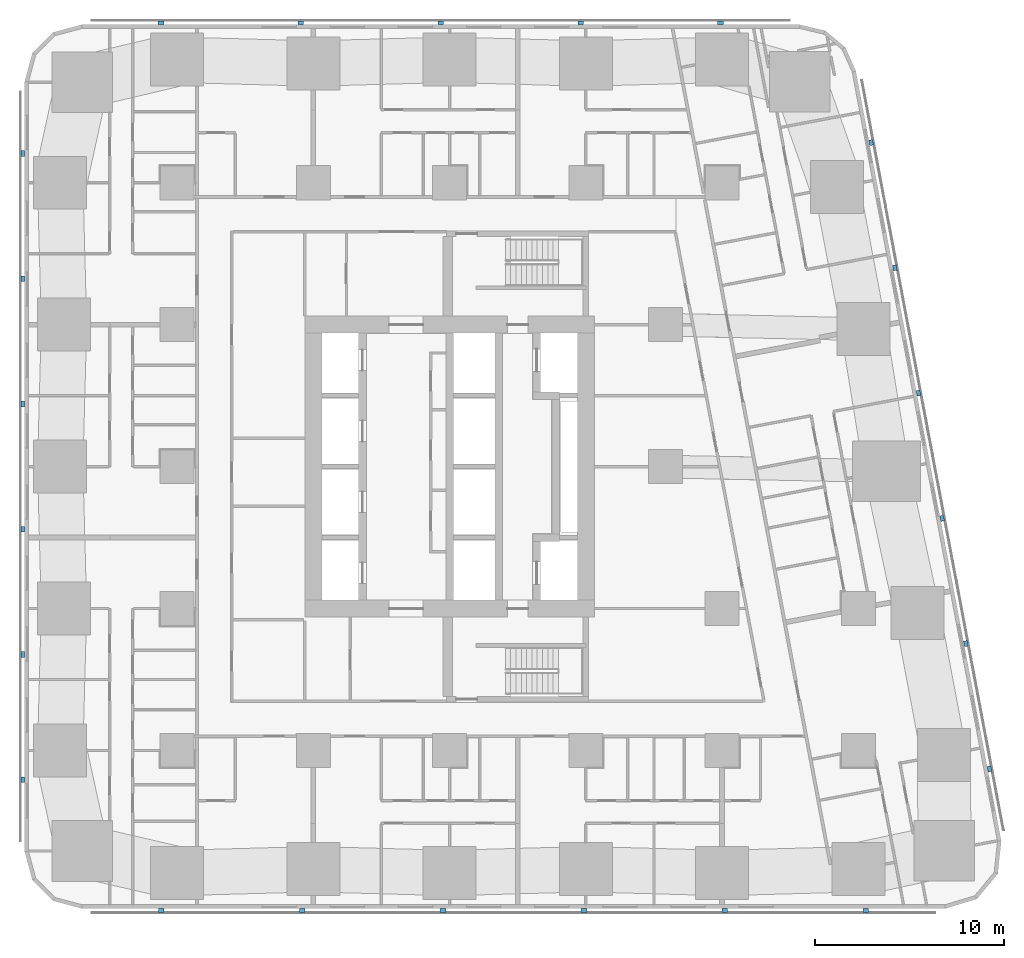
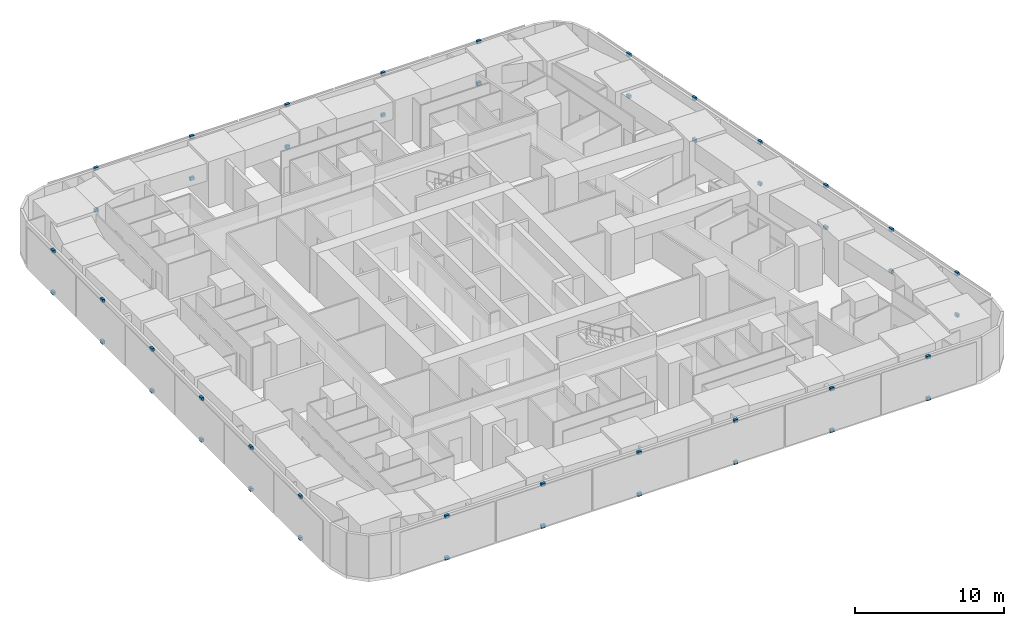
# One storey, part 14 of 18: 46 discrete accessories.
"""IFC4 building model written with IfcOpenShell, lengths in metres."""

from ifc_helpers import new_model, si_unit, direction, frame, origin, origin_2d, place, context, subcontext, project, spatial, rectangle, extrude, material, type_object, element, save


model = new_model("IFC4")

# Units and contexts
model_context = context("Model", 3, precision=1e-05, world=origin(), true_north=direction((0.0, 1.0)))
body_context = subcontext(model_context, "Body", "Model", "MODEL_VIEW")
ifc_project = project(units=[si_unit("LENGTHUNIT", "METRE"), si_unit("AREAUNIT", "SQUARE_METRE"), si_unit("VOLUMEUNIT", "CUBIC_METRE"), si_unit("PLANEANGLEUNIT", "RADIAN"), si_unit("MASSUNIT", "GRAM", prefix="KILO")], contexts=[model_context])

# Site, building, storey
site_placement = place(None, origin())
site = spatial("IfcSite", under=ifc_project, at=site_placement, CompositionType="ELEMENT")
building_placement = place(site_placement, origin())
building = spatial("IfcBuilding", under=site, at=building_placement, Name="Sheger Commons Tower", CompositionType="ELEMENT")
storey_placement = place(building_placement, frame((0.0, 0.0, 35.0)))
storey = spatial("IfcBuildingStorey", under=building, at=storey_placement, Name="L08", CompositionType="ELEMENT", Elevation=35.0)

# Discrete accessories
ifc_material = material(Name="Black painted steel bracket", Category="steel")
discrete_accessory_type = type_object("IfcDiscreteAccessoryType", Name="SCREEN BRACKET 300x200x250", PredefinedType="BRACKET", material=ifc_material)
for number, where, z_axis, x_axis, name in (
    (1, (6.37109375, -0.949951171875, -0.10009765625), (0.0, 0.0, 1.0), (1.0, 0.0, 0.0), "Solar screen foot bracket"),
    (2, (6.37109375, -0.949951171875, 3.300048828125), (0.0, 0.0, 1.0), (1.0, 0.0, 0.0), "Solar screen head bracket"),
    (3, (13.81396484375, -0.949951171875, -0.10009765625), (0.0, 0.0, 1.0), (1.0, 0.0, 0.0), "Solar screen foot bracket"),
    (4, (13.81396484375, -0.949951171875, 3.300048828125), (0.0, 0.0, 1.0), (1.0, 0.0, 0.0), "Solar screen head bracket"),
    (5, (21.257080078125, -0.949951171875, -0.10009765625), (0.0, 0.0, 1.0), (1.0, 0.0, 0.0), "Solar screen foot bracket"),
    (6, (21.257080078125, -0.949951171875, 3.300048828125), (0.0, 0.0, 1.0), (1.0, 0.0, 0.0), "Solar screen head bracket"),
    (7, (28.698974609375, -0.949951171875, -0.10009765625), (0.0, 0.0, 1.0), (1.0, 0.0, 0.0), "Solar screen foot bracket"),
    (8, (28.698974609375, -0.949951171875, 3.300048828125), (0.0, 0.0, 1.0), (1.0, 0.0, 0.0), "Solar screen head bracket"),
    (9, (36.14208984375, -0.949951171875, -0.10009765625), (0.0, 0.0, 1.0), (1.0, 0.0, 0.0), "Solar screen foot bracket"),
    (10, (36.14208984375, -0.949951171875, 3.300048828125), (0.0, 0.0, 1.0), (1.0, 0.0, 0.0), "Solar screen head bracket"),
    (11, (43.5849609375, -0.949951171875, -0.10009765625), (0.0, 0.0, 1.0), (1.0, 0.0, 0.0), "Solar screen foot bracket"),
    (12, (43.5849609375, -0.949951171875, 3.300048828125), (0.0, 0.0, 1.0), (1.0, 0.0, 0.0), "Solar screen head bracket"),
    (13, (50.134033203125, 6.527099609375, -0.10009765625), (0.0, 0.0, 1.0), (-0.185615165645, 0.982622516678, 0.0), "Solar screen foot bracket"),
    (14, (50.134033203125, 6.527099609375, 3.300048828125), (0.0, 0.0, 1.0), (-0.185615165645, 0.982622516678, 0.0), "Solar screen head bracket"),
    (15, (48.884033203125, 13.14599609375, -0.10009765625), (0.0, 0.0, 1.0), (-0.185615165645, 0.982622516678, 0.0), "Solar screen foot bracket"),
    (16, (48.884033203125, 13.14599609375, 3.300048828125), (0.0, 0.0, 1.0), (-0.185615165645, 0.982622516678, 0.0), "Solar screen head bracket"),
    (17, (47.633056640625, 19.76611328125, -0.10009765625), (0.0, 0.0, 1.0), (-0.185615165645, 0.982622516678, 0.0), "Solar screen foot bracket"),
    (18, (47.633056640625, 19.76611328125, 3.300048828125), (0.0, 0.0, 1.0), (-0.185615165645, 0.982622516678, 0.0), "Solar screen head bracket"),
    (19, (46.383056640625, 26.385009765625, -0.10009765625), (0.0, 0.0, 1.0), (-0.185615165645, 0.982622516678, 0.0), "Solar screen foot bracket"),
    (20, (46.383056640625, 26.385009765625, 3.300048828125), (0.0, 0.0, 1.0), (-0.185615165645, 0.982622516678, 0.0), "Solar screen head bracket"),
    (21, (45.133056640625, 33.0048828125, -0.10009765625), (0.0, 0.0, 1.0), (-0.185615165645, 0.982622516678, 0.0), "Solar screen foot bracket"),
    (22, (45.133056640625, 33.0048828125, 3.300048828125), (0.0, 0.0, 1.0), (-0.185615165645, 0.982622516678, 0.0), "Solar screen head bracket"),
    (23, (43.882080078125, 39.6240234375, -0.10009765625), (0.0, 0.0, 1.0), (-0.185615165645, 0.982622516678, 0.0), "Solar screen foot bracket"),
    (24, (43.882080078125, 39.6240234375, 3.300048828125), (0.0, 0.0, 1.0), (-0.185615165645, 0.982622516678, 0.0), "Solar screen head bracket"),
    (25, (35.9208984375, 45.949951171875, -0.10009765625), (0.0, 0.0, 1.0), (-1.0, 0.0, 0.0), "Solar screen foot bracket"),
    (26, (35.9208984375, 45.949951171875, 3.300048828125), (0.0, 0.0, 1.0), (-1.0, 0.0, 0.0), "Solar screen head bracket"),
    (27, (28.528076171875, 45.949951171875, -0.10009765625), (0.0, 0.0, 1.0), (-1.0, 0.0, 0.0), "Solar screen foot bracket"),
    (28, (28.528076171875, 45.949951171875, 3.300048828125), (0.0, 0.0, 1.0), (-1.0, 0.0, 0.0), "Solar screen head bracket"),
    (29, (21.134033203125, 45.949951171875, -0.10009765625), (0.0, 0.0, 1.0), (-1.0, 0.0, 0.0), "Solar screen foot bracket"),
    (30, (21.134033203125, 45.949951171875, 3.300048828125), (0.0, 0.0, 1.0), (-1.0, 0.0, 0.0), "Solar screen head bracket"),
    (31, (13.739990234375, 45.949951171875, -0.10009765625), (0.0, 0.0, 1.0), (-1.0, 0.0, 0.0), "Solar screen foot bracket"),
    (32, (13.739990234375, 45.949951171875, 3.300048828125), (0.0, 0.0, 1.0), (-1.0, 0.0, 0.0), "Solar screen head bracket"),
    (33, (6.346923828125, 45.949951171875, -0.10009765625), (0.0, 0.0, 1.0), (-1.0, 0.0, 0.0), "Solar screen foot bracket"),
    (34, (6.346923828125, 45.949951171875, 3.300048828125), (0.0, 0.0, 1.0), (-1.0, 0.0, 0.0), "Solar screen head bracket"),
    (35, (-0.949951171875, 39.0419921875, -0.10009765625), (0.0, 0.0, 1.0), (0.0, -1.0, 0.0), "Solar screen foot bracket"),
    (36, (-0.949951171875, 39.0419921875, 3.300048828125), (0.0, 0.0, 1.0), (0.0, -1.0, 0.0), "Solar screen head bracket"),
    (37, (-0.949951171875, 32.425048828125, -0.10009765625), (0.0, 0.0, 1.0), (0.0, -1.0, 0.0), "Solar screen foot bracket"),
    (38, (-0.949951171875, 32.425048828125, 3.300048828125), (0.0, 0.0, 1.0), (0.0, -1.0, 0.0), "Solar screen head bracket"),
    (39, (-0.949951171875, 25.80810546875, -0.10009765625), (0.0, 0.0, 1.0), (0.0, -1.0, 0.0), "Solar screen foot bracket"),
    (40, (-0.949951171875, 25.80810546875, 3.300048828125), (0.0, 0.0, 1.0), (0.0, -1.0, 0.0), "Solar screen head bracket"),
    (41, (-0.949951171875, 19.19189453125, -0.10009765625), (0.0, 0.0, 1.0), (0.0, -1.0, 0.0), "Solar screen foot bracket"),
    (42, (-0.949951171875, 19.19189453125, 3.300048828125), (0.0, 0.0, 1.0), (0.0, -1.0, 0.0), "Solar screen head bracket"),
    (43, (-0.949951171875, 12.574951171875, -0.10009765625), (0.0, 0.0, 1.0), (0.0, -1.0, 0.0), "Solar screen foot bracket"),
    (44, (-0.949951171875, 12.574951171875, 3.300048828125), (0.0, 0.0, 1.0), (0.0, -1.0, 0.0), "Solar screen head bracket"),
    (45, (-0.949951171875, 5.9580078125, -0.10009765625), (0.0, 0.0, 1.0), (0.0, -1.0, 0.0), "Solar screen foot bracket"),
    (46, (-0.949951171875, 5.9580078125, 3.300048828125), (0.0, 0.0, 1.0), (0.0, -1.0, 0.0), "Solar screen head bracket"),
):
    element("IfcDiscreteAccessory", number, at=place(storey_placement, frame(where, z_axis=z_axis, x_axis=x_axis)), inside=storey, type_object=discrete_accessory_type, Name=name, PredefinedType="BRACKET", context=body_context, shape_type="SweptSolid", body=[
        extrude(rectangle(XDim=0.300048828125, YDim=0.199951171875, at=origin_2d()), origin(), (0.0, 0.0, 1.0), 0.25),
    ])

save(model, "model.ifc")
